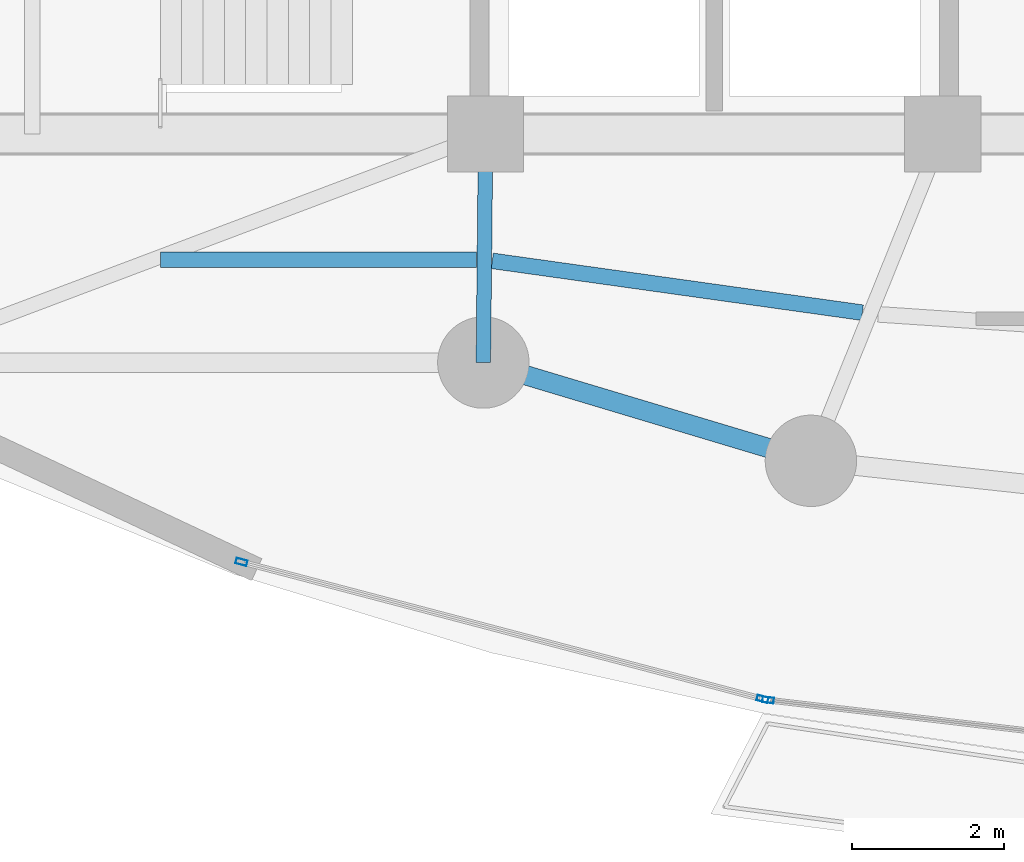
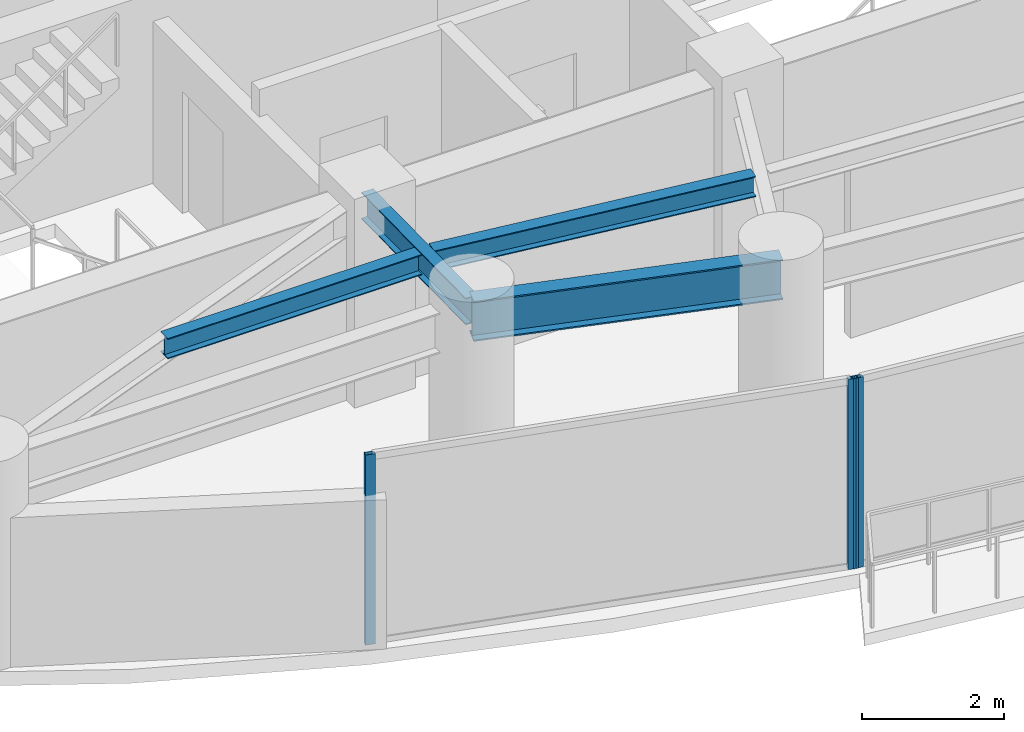
# One storey, part 5 of 33: 4 beams, 3 members, 2 elements without a shape of their own.
"""IFC4 building model written with IfcOpenShell, lengths in metres."""

from ifc_helpers import new_model, si_unit, direction, frame, origin, origin_2d, place, context, subcontext, project, spatial, hollow_rectangle, i_section, extrude, material, layer, layer_set, material_profile, profile_set, type_object, element, aggregate, save


model = new_model("IFC4")

# Units and contexts
model_context = context("Model", 3, precision=1e-05, world=origin(), true_north=direction((0.0, 1.0)))
body_context = subcontext(model_context, "Body", "Model", "MODEL_VIEW")
ifc_project = project(units=[si_unit("LENGTHUNIT", "METRE"), si_unit("AREAUNIT", "SQUARE_METRE"), si_unit("VOLUMEUNIT", "CUBIC_METRE"), si_unit("PLANEANGLEUNIT", "RADIAN"), si_unit("MASSUNIT", "GRAM", prefix="KILO")], contexts=[model_context])

# Site, building, storey
site_placement = place(None, origin())
site = spatial("IfcSite", under=ifc_project, at=site_placement, CompositionType="ELEMENT")
building_placement = place(site_placement, origin())
building = spatial("IfcBuilding", under=site, at=building_placement, Name="Kazevale Care Tower and Concert Hall", CompositionType="ELEMENT")
storey_placement = place(building_placement, frame((0.0, 0.0, 178.199951171875)))
storey = spatial("IfcBuildingStorey", under=building, at=storey_placement, Name="L47", CompositionType="ELEMENT", Elevation=178.199951171875)

# Curtain wall, member
ifc_material_1 = material(Name="Aluminium 6063-T6 and Low-E Glass", Category="aluminium")
ifc_layer = layer(ifc_material_1, 0.179931640625)
ifc_layer_set = layer_set([ifc_layer], Name="Aluminium 6063-T6 and Low-E Glass")
curtain_wall_type = type_object("IfcCurtainWallType", Name="Sheltered Concave Balcony Curtain Wall CW-5", PredefinedType="NOTDEFINED", material=ifc_layer_set)
curtain_wall_1_placement = place(storey_placement, origin())
curtain_wall_1 = element("IfcCurtainWall", 1, at=curtain_wall_1_placement, inside=storey, type_object=curtain_wall_type, Name="cw:L47:f07", PredefinedType="NOTDEFINED")
ifc_material_2 = material(Name="Aluminium 6063-T6", Category="aluminium")
ifc_material_profile_1 = material_profile(ifc_material_2, hollow_rectangle(XDim=0.074951171875, YDim=0.14990234375, WallThickness=0.00390625, at=origin_2d()), Name="ALU75x150x4")
ifc_profile_set_1 = profile_set([ifc_material_profile_1], Name="Aluminium 6063-T6")
member_type = type_object("IfcMemberType", Name="CW-5 Mullion ALU75x150x4", PredefinedType="MULLION", material=ifc_profile_set_1)
member_1_placement = place(storey_placement, frame((33.708251953125, 16.169677734375, 0.0), z_axis=(0.0, 0.0, 1.0), x_axis=(-0.117372179238, -0.993087997884, 0.0)))
member_1 = element("IfcMember", 2, at=member_1_placement, type_object=member_type, Name="CW-5 mullion 2", PredefinedType="MULLION", context=body_context, shape_type="SweptSolid", body=[
    extrude(hollow_rectangle(XDim=0.074951171875, YDim=0.14990234375, WallThickness=0.00390625, at=origin_2d()), origin(), (0.0, 0.0, 1.0), 3.280029296875),
])
aggregate(curtain_wall_1, [member_1])

# Curtain wall, members
curtain_wall_2_placement = place(storey_placement, origin())
curtain_wall_2 = element("IfcCurtainWall", 3, at=curtain_wall_2_placement, inside=storey, type_object=curtain_wall_type, Name="cw:L47:f08", PredefinedType="NOTDEFINED")
member_2_placement = place(storey_placement, frame((33.634765625, 16.18359375, 0.0), z_axis=(0.0, 0.0, 1.0), x_axis=(-0.254238458229, -0.967141564797, 0.0)))
member_2 = element("IfcMember", 4, at=member_2_placement, type_object=member_type, Name="CW-5 mullion 1", PredefinedType="MULLION", context=body_context, shape_type="SweptSolid", body=[
    extrude(hollow_rectangle(XDim=0.074951171875, YDim=0.14990234375, WallThickness=0.00390625, at=origin_2d()), origin(), (0.0, 0.0, 1.0), 3.280029296875),
])
member_3_placement = place(storey_placement, frame((26.795166015625, 17.9814453125, 0.0), z_axis=(0.0, 0.0, 1.0), x_axis=(-0.254238458229, -0.967141564797, 0.0)))
member_3 = element("IfcMember", 5, at=member_3_placement, type_object=member_type, Name="CW-5 mullion 2", PredefinedType="MULLION", context=body_context, shape_type="SweptSolid", body=[
    extrude(hollow_rectangle(XDim=0.074951171875, YDim=0.14990234375, WallThickness=0.00390625, at=origin_2d()), origin(), (0.0, 0.0, 1.0), 3.280029296875),
])
aggregate(curtain_wall_2, [member_2, member_3])

# Beams
ifc_material_3 = material(Name="Steel ASTM A572 Gr 50", Category="steel")
ifc_material_profile_2 = material_profile(ifc_material_3, i_section(OverallWidth=0.19091796875, OverallDepth=0.4599609375, WebThickness=0.010009765625, FlangeThickness=0.01611328125, at=origin_2d()), Name="W460x82")
ifc_profile_set_2 = profile_set([ifc_material_profile_2], Name="Steel ASTM A572 Gr 50")
beam_type_1 = type_object("IfcBeamType", Name="Radial Floor Beam W460x82", PredefinedType="BEAM", material=ifc_profile_set_2)
beam_1_placement = place(storey_placement, frame((30.0, 23.60009765625, 3.050048828125), z_axis=(-0.010009264196, -0.99994990606, 0.0), x_axis=(0.99994990606, -0.010009264196, 0.0)))
element("IfcBeam", 6, at=beam_1_placement, inside=storey, type_object=beam_type_1, Name="beam:L47:rad:11", PredefinedType="BEAM", context=body_context, shape_type="SweptSolid", body=[
    extrude(i_section(OverallWidth=0.19091796875, OverallDepth=0.4599609375, WebThickness=0.010009765625, FlangeThickness=0.01611328125, at=origin_2d()), origin(), (0.0, 0.0, 1.0), 3.000244140625),
])
ifc_material_profile_3 = material_profile(ifc_material_3, i_section(OverallWidth=0.205078125, OverallDepth=0.35400390625, WebThickness=0.009521484375, FlangeThickness=0.016845703125, at=origin_2d()), Name="W360x79")
ifc_profile_set_3 = profile_set([ifc_material_profile_3], Name="Steel ASTM A572 Gr 50")
beam_type_2 = type_object("IfcBeamType", Name="Secondary Floor Joist W360x79", PredefinedType="JOIST", material=ifc_profile_set_3)
beam_2_placement = place(storey_placement, frame((25.73291015625, 21.949951171875, 3.10302734375), z_axis=(1.0, 0.0, 0.0), x_axis=(0.0, 1.0, 0.0)))
element("IfcBeam", 7, at=beam_2_placement, inside=storey, type_object=beam_type_2, Name="beam:L47:joist:10", PredefinedType="JOIST", context=body_context, shape_type="SweptSolid", body=[
    extrude(i_section(OverallWidth=0.205078125, OverallDepth=0.35400390625, WebThickness=0.009521484375, FlangeThickness=0.016845703125, at=origin_2d()), origin(), (0.0, 0.0, 1.0), 4.14501953125),
])
beam_3_placement = place(storey_placement, frame((30.0869140625, 21.93505859375, 3.10302734375), z_axis=(0.990340789942, -0.138654678164, 0.0), x_axis=(0.138654678164, 0.990340789942, 0.0)))
element("IfcBeam", 8, at=beam_3_placement, inside=storey, type_object=beam_type_2, Name="beam:L47:joist:11", PredefinedType="JOIST", context=body_context, shape_type="SweptSolid", body=[
    extrude(i_section(OverallWidth=0.205078125, OverallDepth=0.35400390625, WebThickness=0.009521484375, FlangeThickness=0.016845703125, at=origin_2d()), origin(), (0.0, 0.0, 1.0), 4.905517578125),
])
ifc_material_profile_4 = material_profile(ifc_material_3, i_section(OverallWidth=0.256103515625, OverallDepth=0.693115234375, WebThickness=0.014404296875, FlangeThickness=0.023681640625, at=origin_2d()), Name="W690x170")
ifc_profile_set_4 = profile_set([ifc_material_profile_4], Name="Steel ASTM A572 Gr 50")
beam_type_3 = type_object("IfcBeamType", Name="Waist Ring Beam W690x170", PredefinedType="BEAM", material=ifc_profile_set_4)
beam_4_placement = place(storey_placement, frame((29.969970703125, 20.60009765625, 2.93359375), z_axis=(0.957824788464, -0.287352874709, 0.0), x_axis=(0.287352874709, 0.957824788464, 0.0)))
element("IfcBeam", 9, at=beam_4_placement, inside=storey, type_object=beam_type_3, Name="beam:L47:ring:11", PredefinedType="BEAM", context=body_context, shape_type="SweptSolid", body=[
    extrude(i_section(OverallWidth=0.256103515625, OverallDepth=0.693115234375, WebThickness=0.014404296875, FlangeThickness=0.023681640625, at=origin_2d()), origin(), (0.0, 0.0, 1.0), 4.489501953125),
])

save(model, "model.ifc")
